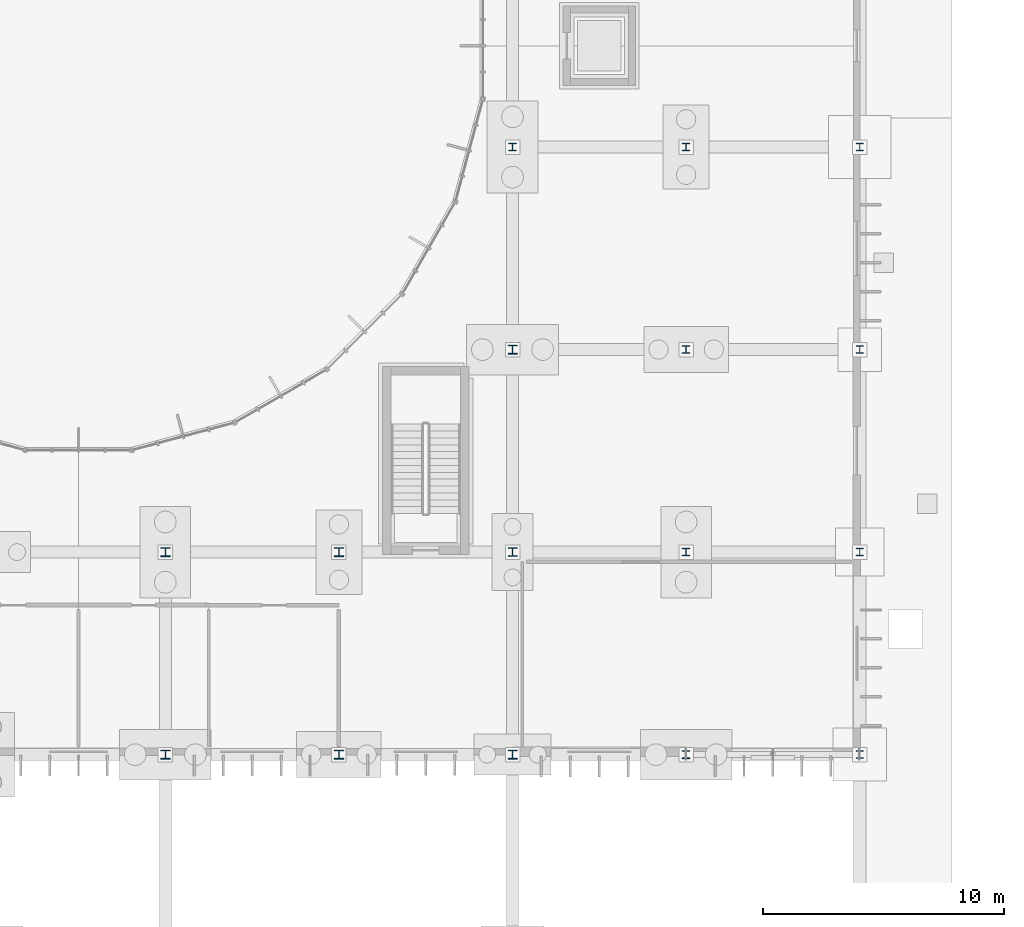
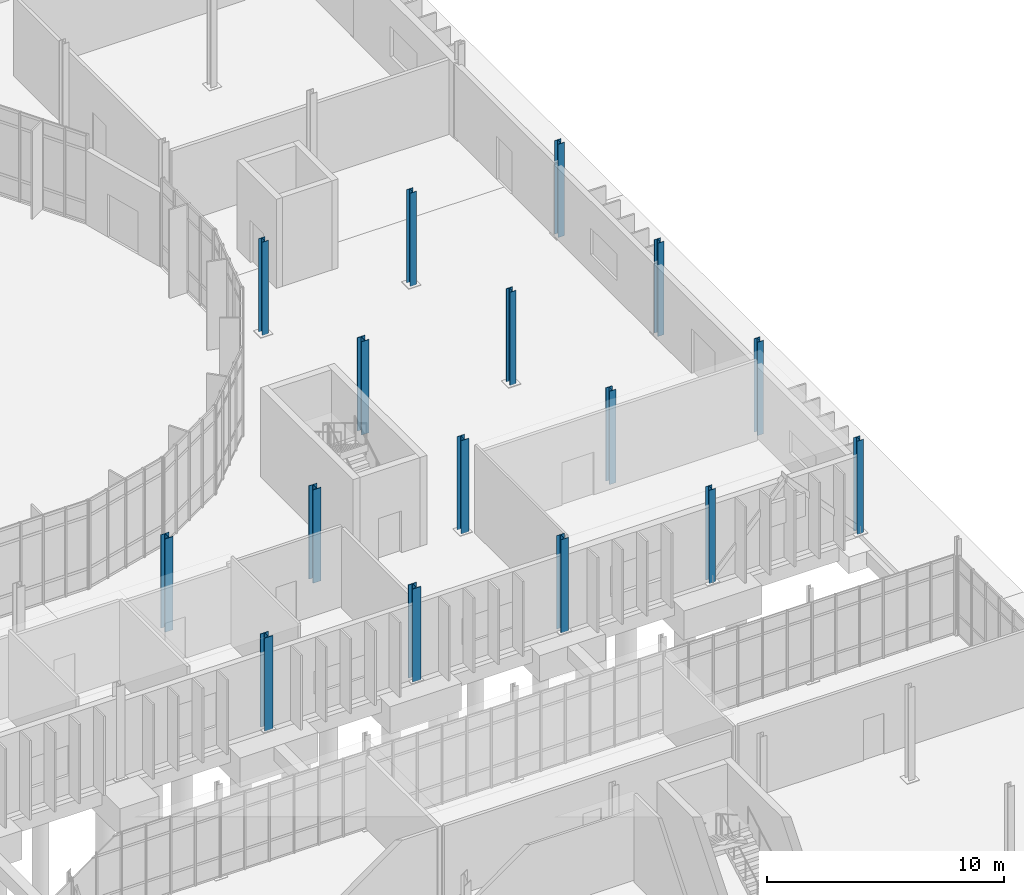
# One storey, part 27 of 118: 16 columns.
"""IFC4 building model written with IfcOpenShell, lengths in metres."""

from ifc_helpers import new_model, si_unit, direction, frame, origin, origin_2d, place, context, subcontext, project, spatial, i_section, extrude, material, material_profile, profile_set, type_object, element, save


model = new_model("IFC4")

# Units and contexts
model_context = context("Model", 3, precision=1e-05, world=origin(), true_north=direction((0.0, 1.0)))
body_context = subcontext(model_context, "Body", "Model", "MODEL_VIEW")
ifc_project = project(units=[si_unit("LENGTHUNIT", "METRE"), si_unit("AREAUNIT", "SQUARE_METRE"), si_unit("VOLUMEUNIT", "CUBIC_METRE"), si_unit("PLANEANGLEUNIT", "RADIAN"), si_unit("MASSUNIT", "GRAM", prefix="KILO")], contexts=[model_context])

# Site, building, storey
site_placement = place(None, origin())
site = spatial("IfcSite", under=ifc_project, at=site_placement, CompositionType="ELEMENT")
building_placement = place(site_placement, origin())
building = spatial("IfcBuilding", under=site, at=building_placement, Name="Qelthora Terrace Specialist Clinic", CompositionType="ELEMENT")
storey_placement = place(building_placement, origin())
storey = spatial("IfcBuildingStorey", under=building, at=storey_placement, Name="L00", CompositionType="ELEMENT", Elevation=0.0)

# Columns
ifc_material = material(Name="Steel S355", Category="steel")
ifc_material_profile_1 = material_profile(ifc_material, i_section(OverallWidth=0.305908203125, OverallDepth=0.31103515625, WebThickness=0.010986328125, FlangeThickness=0.01708984375, FilletRadius=0.014892578125, at=origin_2d()), Name="W310X107")
ifc_profile_set_1 = profile_set([ifc_material_profile_1], Name="Steel S355")
column_type_1 = type_object("IfcColumnType", Name="COL-W310X107", PredefinedType="COLUMN", material=ifc_profile_set_1)
column_1_placement = place(storey_placement, frame((158.39990234375, 42.0, 0.0), z_axis=(0.0, 0.0, 1.0), x_axis=(1.0, 0.0, 0.0)))
element("IfcColumn", 1, at=column_1_placement, inside=storey, type_object=column_type_1, Name="Column L00-253", PredefinedType="COLUMN", context=body_context, shape_type="SweptSolid", body=[
    extrude(i_section(OverallWidth=0.305908203125, OverallDepth=0.31103515625, WebThickness=0.010986328125, FlangeThickness=0.01708984375, FilletRadius=0.014892578125, at=origin_2d()), origin(), (0.0, 0.0, 1.0), 4.800048828125),
])
ifc_material_profile_2 = material_profile(ifc_material, i_section(OverallWidth=0.306884765625, OverallDepth=0.31396484375, WebThickness=0.011962890625, FlangeThickness=0.018798828125, FilletRadius=0.01611328125, at=origin_2d()), Name="W310X118")
ifc_profile_set_2 = profile_set([ifc_material_profile_2], Name="Steel S355")
column_type_2 = type_object("IfcColumnType", Name="COL-W310X118", PredefinedType="COLUMN", material=ifc_profile_set_2)
for number, where, z_axis, x_axis, name in (
    (2, (158.39990234375, 33.60009765625, 0.0), (0.0, 0.0, 1.0), (1.0, 0.0, 0.0), "Column L00-252"),
    (3, (158.39990234375, 58.800048828125, 0.0), (0.0, 0.0, 1.0), (1.0, 0.0, 0.0), "Column L00-255"),
):
    element("IfcColumn", number, at=place(storey_placement, frame(where, z_axis=z_axis, x_axis=x_axis)), inside=storey, type_object=column_type_2, Name=name, PredefinedType="COLUMN", context=body_context, shape_type="SweptSolid", body=[
        extrude(i_section(OverallWidth=0.306884765625, OverallDepth=0.31396484375, WebThickness=0.011962890625, FlangeThickness=0.018798828125, FilletRadius=0.01611328125, at=origin_2d()), origin(), (0.0, 0.0, 1.0), 4.800048828125),
    ])
ifc_material_profile_3 = material_profile(ifc_material, i_section(OverallWidth=0.30810546875, OverallDepth=0.318115234375, WebThickness=0.01318359375, FlangeThickness=0.0205078125, FilletRadius=0.01611328125, at=origin_2d()), Name="W310X129")
ifc_profile_set_3 = profile_set([ifc_material_profile_3], Name="Steel S355")
column_type_3 = type_object("IfcColumnType", Name="COL-W310X129", PredefinedType="COLUMN", material=ifc_profile_set_3)
for number, where, z_axis, x_axis, name in (
    (4, (144.0, 58.800048828125, 0.0), (0.0, 0.0, 1.0), (1.0, 0.0, 0.0), "Column L00-229"),
    (5, (151.199951171875, 42.0, 0.0), (0.0, 0.0, 1.0), (1.0, 0.0, 0.0), "Column L00-241"),
    (6, (151.199951171875, 58.800048828125, 0.0), (0.0, 0.0, 1.0), (1.0, 0.0, 0.0), "Column L00-243"),
):
    element("IfcColumn", number, at=place(storey_placement, frame(where, z_axis=z_axis, x_axis=x_axis)), inside=storey, type_object=column_type_3, Name=name, PredefinedType="COLUMN", context=body_context, shape_type="SweptSolid", body=[
        extrude(i_section(OverallWidth=0.30810546875, OverallDepth=0.318115234375, WebThickness=0.01318359375, FlangeThickness=0.0205078125, FilletRadius=0.01611328125, at=origin_2d()), origin(), (0.0, 0.0, 1.0), 4.800048828125),
    ])
ifc_material_profile_4 = material_profile(ifc_material, i_section(OverallWidth=0.30908203125, OverallDepth=0.322998046875, WebThickness=0.013916015625, FlangeThickness=0.02294921875, FilletRadius=0.01611328125, at=origin_2d()), Name="W310X143")
ifc_profile_set_4 = profile_set([ifc_material_profile_4], Name="Steel S355")
column_type_4 = type_object("IfcColumnType", Name="COL-W310X143", PredefinedType="COLUMN", material=ifc_profile_set_4)
for number, where, z_axis, x_axis, name in (
    (7, (151.199951171875, 33.60009765625, 0.0), (0.0, 0.0, 1.0), (1.0, 0.0, 0.0), "Column L00-240"),
    (8, (151.199951171875, 50.39990234375, 0.0), (0.0, 0.0, 1.0), (1.0, 0.0, 0.0), "Column L00-242"),
):
    element("IfcColumn", number, at=place(storey_placement, frame(where, z_axis=z_axis, x_axis=x_axis)), inside=storey, type_object=column_type_4, Name=name, PredefinedType="COLUMN", context=body_context, shape_type="SweptSolid", body=[
        extrude(i_section(OverallWidth=0.30908203125, OverallDepth=0.322998046875, WebThickness=0.013916015625, FlangeThickness=0.02294921875, FilletRadius=0.01611328125, at=origin_2d()), origin(), (0.0, 0.0, 1.0), 4.800048828125),
    ])
ifc_material_profile_5 = material_profile(ifc_material, i_section(OverallWidth=0.304931640625, OverallDepth=0.30810546875, WebThickness=0.010009765625, FlangeThickness=0.015380859375, FilletRadius=0.014892578125, at=origin_2d()), Name="W310X97")
ifc_profile_set_5 = profile_set([ifc_material_profile_5], Name="Steel S355")
column_type_5 = type_object("IfcColumnType", Name="COL-W310X97", PredefinedType="COLUMN", material=ifc_profile_set_5)
column_2_placement = place(storey_placement, frame((158.39990234375, 50.39990234375, 0.0), z_axis=(0.0, 0.0, 1.0), x_axis=(1.0, 0.0, 0.0)))
element("IfcColumn", 9, at=column_2_placement, inside=storey, type_object=column_type_5, Name="Column L00-254", PredefinedType="COLUMN", context=body_context, shape_type="SweptSolid", body=[
    extrude(i_section(OverallWidth=0.304931640625, OverallDepth=0.30810546875, WebThickness=0.010009765625, FlangeThickness=0.015380859375, FilletRadius=0.014892578125, at=origin_2d()), origin(), (0.0, 0.0, 1.0), 4.800048828125),
])
ifc_material_profile_6 = material_profile(ifc_material, i_section(OverallWidth=0.37109375, OverallDepth=0.364013671875, WebThickness=0.01318359375, FlangeThickness=0.021728515625, FilletRadius=0.02001953125, at=origin_2d()), Name="W360X162")
ifc_profile_set_6 = profile_set([ifc_material_profile_6], Name="Steel S355")
column_type_6 = type_object("IfcColumnType", Name="COL-W360X162", PredefinedType="COLUMN", material=ifc_profile_set_6)
column_3_placement = place(storey_placement, frame((144.0, 42.0, 0.0), z_axis=(0.0, 0.0, 1.0), x_axis=(1.0, 0.0, 0.0)))
element("IfcColumn", 10, at=column_3_placement, inside=storey, type_object=column_type_6, Name="Column L00-227", PredefinedType="COLUMN", context=body_context, shape_type="SweptSolid", body=[
    extrude(i_section(OverallWidth=0.37109375, OverallDepth=0.364013671875, WebThickness=0.01318359375, FlangeThickness=0.021728515625, FilletRadius=0.02001953125, at=origin_2d()), origin(), (0.0, 0.0, 1.0), 4.800048828125),
])
ifc_material_profile_7 = material_profile(ifc_material, i_section(OverallWidth=0.373046875, OverallDepth=0.367919921875, WebThickness=0.014892578125, FlangeThickness=0.02392578125, FilletRadius=0.02001953125, at=origin_2d()), Name="W360X179")
ifc_profile_set_7 = profile_set([ifc_material_profile_7], Name="Steel S355")
column_type_7 = type_object("IfcColumnType", Name="COL-W360X179", PredefinedType="COLUMN", material=ifc_profile_set_7)
column_4_placement = place(storey_placement, frame((144.0, 33.60009765625, 0.0), z_axis=(0.0, 0.0, 1.0), x_axis=(1.0, 0.0, 0.0)))
element("IfcColumn", 11, at=column_4_placement, inside=storey, type_object=column_type_7, Name="Column L00-226", PredefinedType="COLUMN", context=body_context, shape_type="SweptSolid", body=[
    extrude(i_section(OverallWidth=0.373046875, OverallDepth=0.367919921875, WebThickness=0.014892578125, FlangeThickness=0.02392578125, FilletRadius=0.02001953125, at=origin_2d()), origin(), (0.0, 0.0, 1.0), 4.800048828125),
])
ifc_material_profile_8 = material_profile(ifc_material, i_section(OverallWidth=0.3740234375, OverallDepth=0.3720703125, WebThickness=0.016357421875, FlangeThickness=0.026123046875, FilletRadius=0.02001953125, at=origin_2d()), Name="W360X196")
ifc_profile_set_8 = profile_set([ifc_material_profile_8], Name="Steel S355")
column_type_8 = type_object("IfcColumnType", Name="COL-W360X196", PredefinedType="COLUMN", material=ifc_profile_set_8)
column_5_placement = place(storey_placement, frame((144.0, 50.39990234375, 0.0), z_axis=(0.0, 0.0, 1.0), x_axis=(1.0, 0.0, 0.0)))
element("IfcColumn", 12, at=column_5_placement, inside=storey, type_object=column_type_8, Name="Column L00-228", PredefinedType="COLUMN", context=body_context, shape_type="SweptSolid", body=[
    extrude(i_section(OverallWidth=0.3740234375, OverallDepth=0.3720703125, WebThickness=0.016357421875, FlangeThickness=0.026123046875, FilletRadius=0.02001953125, at=origin_2d()), origin(), (0.0, 0.0, 1.0), 4.800048828125),
])
ifc_material_profile_9 = material_profile(ifc_material, i_section(OverallWidth=0.39404296875, OverallDepth=0.375, WebThickness=0.017333984375, FlangeThickness=0.027587890625, FilletRadius=0.02001953125, at=origin_2d()), Name="W360X216")
ifc_profile_set_9 = profile_set([ifc_material_profile_9], Name="Steel S355")
column_type_9 = type_object("IfcColumnType", Name="COL-W360X216", PredefinedType="COLUMN", material=ifc_profile_set_9)
for number, where, z_axis, x_axis, name in (
    (13, (129.60009765625, 42.0, 0.0), (0.0, 0.0, 1.0), (1.0, 0.0, 0.0), "Column L00-211"),
    (14, (136.800048828125, 42.0, 0.0), (0.0, 0.0, 1.0), (1.0, 0.0, 0.0), "Column L00-219"),
):
    element("IfcColumn", number, at=place(storey_placement, frame(where, z_axis=z_axis, x_axis=x_axis)), inside=storey, type_object=column_type_9, Name=name, PredefinedType="COLUMN", context=body_context, shape_type="SweptSolid", body=[
        extrude(i_section(OverallWidth=0.39404296875, OverallDepth=0.375, WebThickness=0.017333984375, FlangeThickness=0.027587890625, FilletRadius=0.02001953125, at=origin_2d()), origin(), (0.0, 0.0, 1.0), 4.800048828125),
    ])
ifc_material_profile_10 = material_profile(ifc_material, i_section(OverallWidth=0.39501953125, OverallDepth=0.3798828125, WebThickness=0.018798828125, FlangeThickness=0.0302734375, FilletRadius=0.02001953125, at=origin_2d()), Name="W360X237")
ifc_profile_set_10 = profile_set([ifc_material_profile_10], Name="Steel S355")
column_type_10 = type_object("IfcColumnType", Name="COL-W360X237", PredefinedType="COLUMN", material=ifc_profile_set_10)
for number, where, z_axis, x_axis, name in (
    (15, (129.60009765625, 33.60009765625, 0.0), (0.0, 0.0, 1.0), (1.0, 0.0, 0.0), "Column L00-210"),
    (16, (136.800048828125, 33.60009765625, 0.0), (0.0, 0.0, 1.0), (1.0, 0.0, 0.0), "Column L00-218"),
):
    element("IfcColumn", number, at=place(storey_placement, frame(where, z_axis=z_axis, x_axis=x_axis)), inside=storey, type_object=column_type_10, Name=name, PredefinedType="COLUMN", context=body_context, shape_type="SweptSolid", body=[
        extrude(i_section(OverallWidth=0.39501953125, OverallDepth=0.3798828125, WebThickness=0.018798828125, FlangeThickness=0.0302734375, FilletRadius=0.02001953125, at=origin_2d()), origin(), (0.0, 0.0, 1.0), 4.800048828125),
    ])

save(model, "model.ifc")
